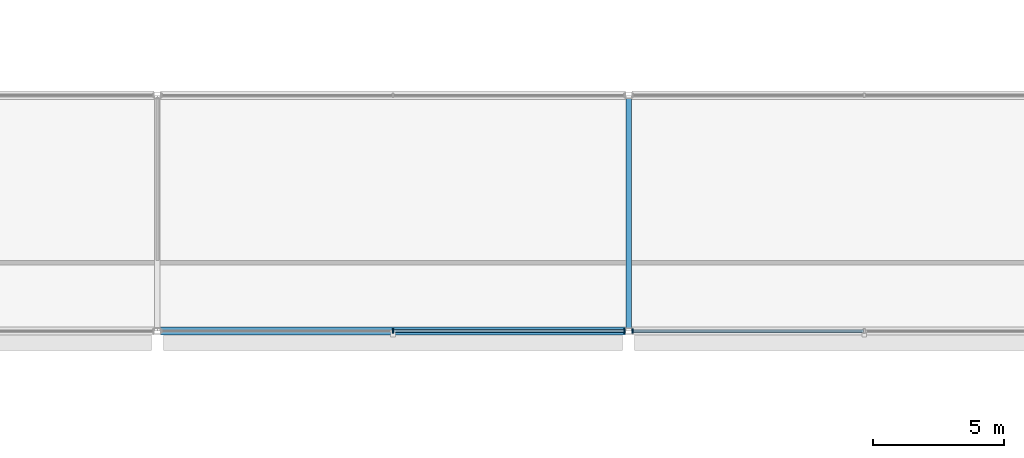
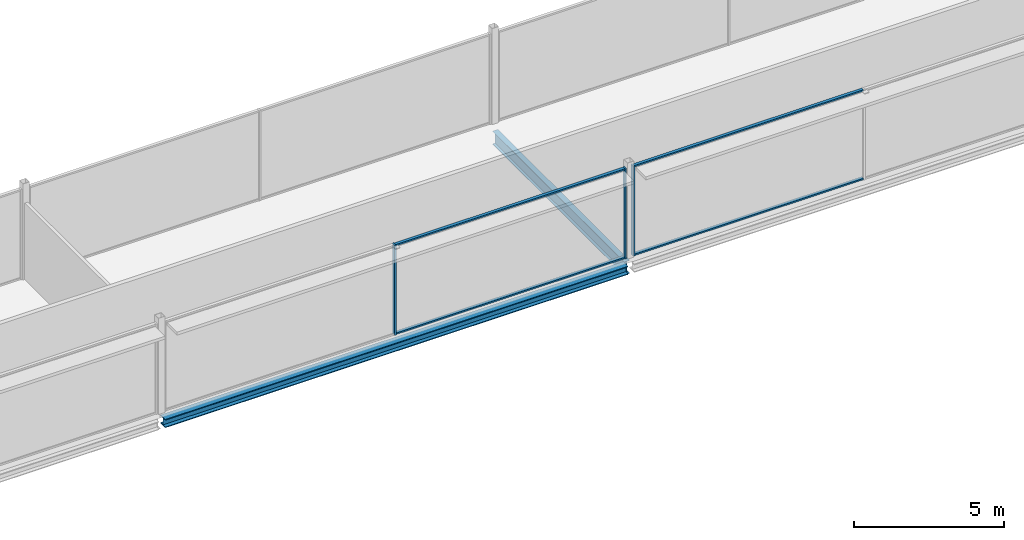
# One storey, part 26 of 96: 7 members, 2 beams, 2 elements without a shape of their own.
"""IFC4 building model written with IfcOpenShell, lengths in metres."""

from ifc_helpers import new_model, si_unit, direction, frame, origin, origin_2d, place, context, subcontext, project, spatial, rectangle, i_section, extrude, material, layer, layer_set, material_profile, profile_set, type_object, element, aggregate, save


model = new_model("IFC4")

# Units and contexts
model_context = context("Model", 3, precision=1e-05, world=origin(), true_north=direction((0.0, 1.0)))
body_context = subcontext(model_context, "Body", "Model", "MODEL_VIEW")
ifc_project = project(units=[si_unit("LENGTHUNIT", "METRE"), si_unit("AREAUNIT", "SQUARE_METRE"), si_unit("VOLUMEUNIT", "CUBIC_METRE"), si_unit("PLANEANGLEUNIT", "RADIAN"), si_unit("MASSUNIT", "GRAM", prefix="KILO")], contexts=[model_context])

# Site, building, storey
site_placement = place(None, origin())
site = spatial("IfcSite", under=ifc_project, at=site_placement, CompositionType="ELEMENT")
building_placement = place(site_placement, origin())
building = spatial("IfcBuilding", under=site, at=building_placement, Name="Kisiwana Market Hall", CompositionType="ELEMENT")
storey_placement = place(building_placement, frame((0.0, 0.0, 25.5)))
storey = spatial("IfcBuildingStorey", under=building, at=storey_placement, Name="L05", CompositionType="ELEMENT", Elevation=25.5)

# Beams
ifc_material_1 = material(Name="Steel S355", Category="steel")
ifc_material_profile_1 = material_profile(ifc_material_1, i_section(OverallWidth=0.209228515625, OverallDepth=0.533203125, WebThickness=0.010009765625, FlangeThickness=0.015625, at=origin_2d()), Name="UB 533x210x92")
ifc_profile_set_1 = profile_set([ifc_material_profile_1], Name="Steel S355")
beam_type_1 = type_object("IfcBeamType", Name="BM-GIRD-UB533", PredefinedType="BEAM", material=ifc_profile_set_1)
beam_1_placement = place(storey_placement, frame((117.0, 18.12109375, -0.531494140625), z_axis=(0.0, 1.0, 0.0), x_axis=(-1.0, 0.0, 0.0)))
element("IfcBeam", 1, at=beam_1_placement, inside=storey, type_object=beam_type_1, Name="Primary girder B-1545", PredefinedType="BEAM", context=body_context, shape_type="SweptSolid", body=[
    extrude(i_section(OverallWidth=0.209228515625, OverallDepth=0.533203125, WebThickness=0.010009765625, FlangeThickness=0.015625, at=origin_2d()), origin(), (0.0, 0.0, 1.0), 8.7578125),
])
ifc_material_2 = material(Name="Steel S355", Category="steel")
ifc_material_profile_2 = material_profile(ifc_material_2, i_section(OverallWidth=0.314453125, OverallDepth=0.33984375, WebThickness=0.01904296875, FlangeThickness=0.031494140625, at=origin_2d()), Name="UC 305x305x198")
ifc_profile_set_2 = profile_set([ifc_material_profile_2], Name="Steel S355")
beam_type_2 = type_object("IfcBeamType", Name="BM-SKYBR-CHORD", PredefinedType="BEAM", material=ifc_profile_set_2)
beam_2_placement = place(storey_placement, frame((99.12109375, 18.0, -0.43505859375), z_axis=(1.0, 0.0, 0.0), x_axis=(0.0, 1.0, 0.0)))
element("IfcBeam", 2, at=beam_2_placement, inside=storey, type_object=beam_type_2, Name="Floor beam B-1610", PredefinedType="BEAM", context=body_context, shape_type="SweptSolid", body=[
    extrude(i_section(OverallWidth=0.314453125, OverallDepth=0.33984375, WebThickness=0.01904296875, FlangeThickness=0.031494140625, at=origin_2d()), origin(), (0.0, 0.0, 1.0), 17.7578125),
])

# Curtain wall, members
ifc_material_3 = material(Name="Double-glazed solar-control low-E IGU", Category="glass")
ifc_layer = layer(ifc_material_3, 0.159912109375)
ifc_layer_set = layer_set([ifc_layer], Name="CW-ZNA-EW-8200")
curtain_wall_type = type_object("IfcCurtainWallType", Name="CW-ZNA-EW-8200", PredefinedType="USERDEFINED", material=ifc_layer_set)
curtain_wall_1_placement = place(storey_placement, origin())
curtain_wall_1 = element("IfcCurtainWall", 3, at=curtain_wall_1_placement, inside=storey, type_object=curtain_wall_type, Name="Unitised curtain wall CW-135 (L05)", ObjectType="UNITISED CURTAIN WALL", PredefinedType="USERDEFINED")
ifc_material_4 = material(Name="Aluminium alloy 6063-T6", Category="aluminium")
ifc_material_profile_3 = material_profile(ifc_material_4, rectangle(XDim=0.06005859375, YDim=0.159912109375, at=origin_2d()), Name="ALU MULLION 60x160")
ifc_profile_set_3 = profile_set([ifc_material_profile_3], Name="Aluminium alloy 6063-T6")
member_type_1 = type_object("IfcMemberType", Name="CW-MULL-60x160", PredefinedType="MULLION", material=ifc_profile_set_3)
member_1_placement = place(storey_placement, frame((108.0, 18.0, 0.0), z_axis=(0.0, 0.0, 1.0), x_axis=(1.0, 0.0, 0.0)))
member_1 = element("IfcMember", 4, at=member_1_placement, type_object=member_type_1, Name="CW-135 mullion 2", PredefinedType="MULLION", context=body_context, shape_type="SweptSolid", body=[
    extrude(rectangle(XDim=0.06005859375, YDim=0.159912109375, at=origin_2d()), origin(), (0.0, 0.0, 1.0), 3.655029296875),
])
member_2_placement = place(storey_placement, frame((116.844970703125, 18.0, 0.0), z_axis=(0.0, 0.0, 1.0), x_axis=(1.0, 0.0, 0.0)))
member_2 = element("IfcMember", 5, at=member_2_placement, type_object=member_type_1, Name="CW-135 mullion 3", PredefinedType="MULLION", context=body_context, shape_type="SweptSolid", body=[
    extrude(rectangle(XDim=0.06005859375, YDim=0.159912109375, at=origin_2d()), origin(), (0.0, 0.0, 1.0), 3.655029296875),
])

# Curtain wall, member
curtain_wall_2_placement = place(storey_placement, origin())
curtain_wall_2 = element("IfcCurtainWall", 6, at=curtain_wall_2_placement, inside=storey, type_object=curtain_wall_type, Name="Unitised curtain wall CW-136 (L05)", ObjectType="UNITISED CURTAIN WALL", PredefinedType="USERDEFINED")
member_3_placement = place(storey_placement, frame((117.155029296875, 18.0, 0.0), z_axis=(0.0, 0.0, 1.0), x_axis=(1.0, 0.0, 0.0)))
member_3 = element("IfcMember", 7, at=member_3_placement, type_object=member_type_1, Name="CW-136 mullion 1", PredefinedType="MULLION", context=body_context, shape_type="SweptSolid", body=[
    extrude(rectangle(XDim=0.06005859375, YDim=0.159912109375, at=origin_2d()), origin(), (0.0, 0.0, 1.0), 3.655029296875),
])

# Member
ifc_material_5 = material(Name="Aluminium alloy 6063-T6", Category="aluminium")
ifc_material_profile_4 = material_profile(ifc_material_5, rectangle(XDim=0.1201171875, YDim=0.06005859375, at=origin_2d()), Name="ALU TRANSOM 60x120")
ifc_profile_set_4 = profile_set([ifc_material_profile_4], Name="Aluminium alloy 6063-T6")
member_type_2 = type_object("IfcMemberType", Name="CW-TRAN-60x120", PredefinedType="USERDEFINED", material=ifc_profile_set_4)
member_4_placement = place(storey_placement, frame((108.030029296875, 18.0, 0.030029296875), z_axis=(1.0, 0.0, 0.0), x_axis=(0.0, 1.0, 0.0)))
member_4 = element("IfcMember", 8, at=member_4_placement, type_object=member_type_2, Name="CW-135 transom 2.1", ObjectType="TRANSOM", PredefinedType="USERDEFINED", context=body_context, shape_type="SweptSolid", body=[
    extrude(rectangle(XDim=0.1201171875, YDim=0.06005859375, at=origin_2d()), origin(), (0.0, 0.0, 1.0), 8.784912109375),
])

member_5_placement = place(storey_placement, frame((108.030029296875, 18.0, 3.625), z_axis=(1.0, 0.0, 0.0), x_axis=(0.0, 1.0, 0.0)))
member_5 = element("IfcMember", 9, at=member_5_placement, type_object=member_type_2, Name="CW-135 transom 2.2", ObjectType="TRANSOM", PredefinedType="USERDEFINED", context=body_context, shape_type="SweptSolid", body=[
    extrude(rectangle(XDim=0.1201171875, YDim=0.06005859375, at=origin_2d()), origin(), (0.0, 0.0, 1.0), 8.784912109375),
])

aggregate(curtain_wall_1, [member_1, member_2, member_4, member_5])

member_6_placement = place(storey_placement, frame((117.18505859375, 18.0, 0.030029296875), z_axis=(1.0, 0.0, 0.0), x_axis=(0.0, 1.0, 0.0)))
member_6 = element("IfcMember", 10, at=member_6_placement, type_object=member_type_2, Name="CW-136 transom 1.1", ObjectType="TRANSOM", PredefinedType="USERDEFINED", context=body_context, shape_type="SweptSolid", body=[
    extrude(rectangle(XDim=0.1201171875, YDim=0.06005859375, at=origin_2d()), origin(), (0.0, 0.0, 1.0), 8.784912109375),
])

member_7_placement = place(storey_placement, frame((117.18505859375, 18.0, 3.625), z_axis=(1.0, 0.0, 0.0), x_axis=(0.0, 1.0, 0.0)))
member_7 = element("IfcMember", 11, at=member_7_placement, type_object=member_type_2, Name="CW-136 transom 1.2", ObjectType="TRANSOM", PredefinedType="USERDEFINED", context=body_context, shape_type="SweptSolid", body=[
    extrude(rectangle(XDim=0.1201171875, YDim=0.06005859375, at=origin_2d()), origin(), (0.0, 0.0, 1.0), 8.784912109375),
])

aggregate(curtain_wall_2, [member_3, member_6, member_7])

save(model, "model.ifc")
